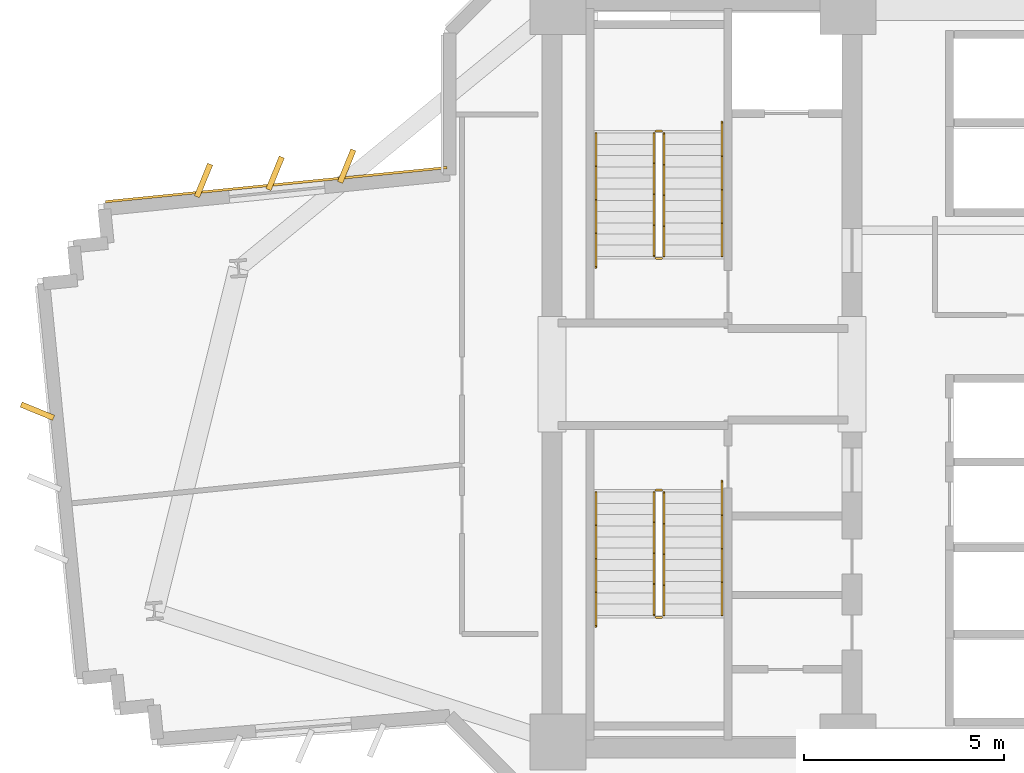
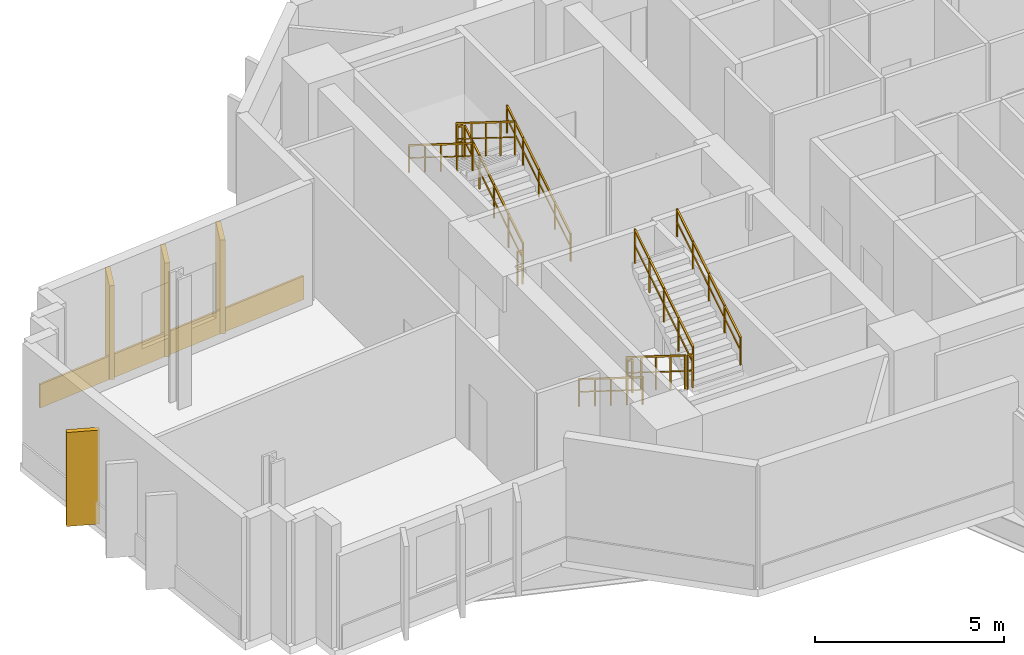
# One storey, part 12 of 14: 12 railings, 5 coverings.
"""IFC4 building model written with IfcOpenShell, lengths in metres."""

from ifc_helpers import new_model, si_unit, direction, frame, origin, origin_2d, place, context, subcontext, project, spatial, rectangle, extrude, source, transform, mapped, material, layer, layer_set, type_object, element, save


model = new_model("IFC4")

# Units and contexts
model_context = context("Model", 3, precision=1e-05, world=origin(), true_north=direction((0.0, 1.0)))
body_context = subcontext(model_context, "Body", "Model", "MODEL_VIEW")
ifc_project = project(units=[si_unit("LENGTHUNIT", "METRE"), si_unit("AREAUNIT", "SQUARE_METRE"), si_unit("VOLUMEUNIT", "CUBIC_METRE"), si_unit("PLANEANGLEUNIT", "RADIAN"), si_unit("MASSUNIT", "GRAM", prefix="KILO")], contexts=[model_context])

# Site, building, storey
site_placement = place(None, origin())
site = spatial("IfcSite", under=ifc_project, at=site_placement, CompositionType="ELEMENT")
building_placement = place(site_placement, origin())
building = spatial("IfcBuilding", under=site, at=building_placement, Name="Zahravan Cultural Tower", CompositionType="ELEMENT")
storey_placement = place(building_placement, frame((0.0, 0.0, 100.5)))
storey = spatial("IfcBuildingStorey", under=building, at=storey_placement, Name="L22", CompositionType="ELEMENT", Elevation=100.5)

# Railings
ifc_material_1 = material(Name="Steel ASTM A572 Grade 50", Category="steel")
railing_type_1 = type_object("IfcRailingType", Name="RL-STAIR-GRD1150", PredefinedType="BALUSTRADE", material=ifc_material_1)
railing_1_placement = place(storey_placement, frame((24.300048828125, 29.949951171875, 0.175048828125)))
element("IfcRailing", 1, at=railing_1_placement, inside=storey, type_object=railing_type_1, Name="L22 ST-W1 stair guard 1", PredefinedType="BALUSTRADE", context=body_context, shape_type="SweptSolid", body=[
    extrude(rectangle(XDim=0.05, YDim=0.05, at=origin_2d()), frame((0.0, 0.0, 1.0751953125), z_axis=(0.0, 0.847998304005, 0.529998940003), x_axis=(-1.0, 0.0, 0.0)), (0.0, 0.0, 1.0), 3.632080078125),
    extrude(rectangle(XDim=0.032, YDim=0.032, at=origin_2d()), frame((0.0, 0.0, 0.572021484375), z_axis=(0.0, 0.847998304005, 0.529998940003), x_axis=(-1.0, 0.0, 0.0)), (0.0, 0.0, 1.0), 3.632080078125),
    extrude(rectangle(XDim=0.04, YDim=0.04, at=origin_2d()), origin(), (0.0, 0.0, 1.0), 1.10009765625),
    extrude(rectangle(XDim=0.04, YDim=0.04, at=origin_2d()), frame((0.0, 0.77001953125, 0.481201171875)), (0.0, 0.0, 1.0), 1.10009765625),
    extrude(rectangle(XDim=0.04, YDim=0.04, at=origin_2d()), frame((0.0, 1.5400390625, 0.96240234375)), (0.0, 0.0, 1.0), 1.10009765625),
    extrude(rectangle(XDim=0.04, YDim=0.04, at=origin_2d()), frame((0.0, 2.31005859375, 1.44384765625)), (0.0, 0.0, 1.0), 1.10009765625),
    extrude(rectangle(XDim=0.04, YDim=0.04, at=origin_2d()), frame((0.0, 3.080078125, 1.925048828125)), (0.0, 0.0, 1.0), 1.10009765625),
])
railing_2_placement = place(storey_placement, frame((24.25, 33.080078125, 2.10009765625)))
element("IfcRailing", 2, at=railing_2_placement, inside=storey, type_object=railing_type_1, Name="L22 ST-W1 stair guard 2", PredefinedType="BALUSTRADE", context=body_context, shape_type="SweptSolid", body=[
    extrude(rectangle(XDim=0.05, YDim=0.05, at=origin_2d()), frame((0.0, 0.0, 1.0751953125), z_axis=(-1.0, 0.0, 0.0), x_axis=(0.0, -1.0, 0.0)), (0.0, 0.0, 1.0), 0.14990234375),
    extrude(rectangle(XDim=0.032, YDim=0.032, at=origin_2d()), frame((0.0, 0.0, 0.572021484375), z_axis=(-1.0, 0.0, 0.0), x_axis=(0.0, -1.0, 0.0)), (0.0, 0.0, 1.0), 0.14990234375),
    extrude(rectangle(XDim=0.04, YDim=0.04, at=origin_2d()), origin(), (0.0, 0.0, 1.0), 1.10009765625),
    extrude(rectangle(XDim=0.04, YDim=0.04, at=origin_2d()), frame((-0.14990234375, 0.0, 0.0)), (0.0, 0.0, 1.0), 1.10009765625),
])
railing_3_placement = place(storey_placement, frame((24.050048828125, 33.030029296875, 2.27490234375)))
element("IfcRailing", 3, at=railing_3_placement, inside=storey, type_object=railing_type_1, Name="L22 ST-W1 stair guard 3", PredefinedType="BALUSTRADE", context=body_context, shape_type="SweptSolid", body=[
    extrude(rectangle(XDim=0.05, YDim=0.05, at=origin_2d()), frame((0.0, 0.0, 1.0751953125), z_axis=(0.0, -0.847998304005, 0.529998940003), x_axis=(1.0, 0.0, 0.0)), (0.0, 0.0, 1.0), 3.632080078125),
    extrude(rectangle(XDim=0.032, YDim=0.032, at=origin_2d()), frame((0.0, 0.0, 0.572021484375), z_axis=(0.0, -0.847998304005, 0.529998940003), x_axis=(1.0, 0.0, 0.0)), (0.0, 0.0, 1.0), 3.632080078125),
    extrude(rectangle(XDim=0.04, YDim=0.04, at=origin_2d()), origin(), (0.0, 0.0, 1.0), 1.10009765625),
    extrude(rectangle(XDim=0.04, YDim=0.04, at=origin_2d()), frame((0.0, -0.77001953125, 0.481201171875)), (0.0, 0.0, 1.0), 1.10009765625),
    extrude(rectangle(XDim=0.04, YDim=0.04, at=origin_2d()), frame((0.0, -1.5400390625, 0.96240234375)), (0.0, 0.0, 1.0), 1.10009765625),
    extrude(rectangle(XDim=0.04, YDim=0.04, at=origin_2d()), frame((0.0, -2.31005859375, 1.44384765625)), (0.0, 0.0, 1.0), 1.10009765625),
    extrude(rectangle(XDim=0.04, YDim=0.04, at=origin_2d()), frame((0.0, -3.080078125, 1.925048828125)), (0.0, 0.0, 1.0), 1.10009765625),
])
railing_4_placement = place(storey_placement, frame((24.25, 29.89990234375, 0.0)))
element("IfcRailing", 4, at=railing_4_placement, inside=storey, type_object=railing_type_1, Name="L22 ST-W1 stair guard 4", PredefinedType="BALUSTRADE", context=body_context, shape_type="SweptSolid", body=[
    extrude(rectangle(XDim=0.05, YDim=0.05, at=origin_2d()), frame((0.0, 0.0, 1.0751953125), z_axis=(-1.0, 0.0, 0.0), x_axis=(0.0, -1.0, 0.0)), (0.0, 0.0, 1.0), 0.14990234375),
    extrude(rectangle(XDim=0.032, YDim=0.032, at=origin_2d()), frame((0.0, 0.0, 0.572021484375), z_axis=(-1.0, 0.0, 0.0), x_axis=(0.0, -1.0, 0.0)), (0.0, 0.0, 1.0), 0.14990234375),
    extrude(rectangle(XDim=0.04, YDim=0.04, at=origin_2d()), origin(), (0.0, 0.0, 1.0), 1.10009765625),
    extrude(rectangle(XDim=0.04, YDim=0.04, at=origin_2d()), frame((-0.14990234375, 0.0, 0.0)), (0.0, 0.0, 1.0), 1.10009765625),
])
railing_5_placement = place(storey_placement, frame((24.050048828125, 24.050048828125, 0.175048828125)))
element("IfcRailing", 5, at=railing_5_placement, inside=storey, type_object=railing_type_1, Name="L22 ST-W2 stair guard 1", PredefinedType="BALUSTRADE", context=body_context, shape_type="SweptSolid", body=[
    extrude(rectangle(XDim=0.05, YDim=0.05, at=origin_2d()), frame((0.0, 0.0, 1.0751953125), z_axis=(0.0, -0.847998304005, 0.529998940003), x_axis=(1.0, 0.0, 0.0)), (0.0, 0.0, 1.0), 3.632080078125),
    extrude(rectangle(XDim=0.032, YDim=0.032, at=origin_2d()), frame((0.0, 0.0, 0.572021484375), z_axis=(0.0, -0.847998304005, 0.529998940003), x_axis=(1.0, 0.0, 0.0)), (0.0, 0.0, 1.0), 3.632080078125),
    extrude(rectangle(XDim=0.04, YDim=0.04, at=origin_2d()), origin(), (0.0, 0.0, 1.0), 1.10009765625),
    extrude(rectangle(XDim=0.04, YDim=0.04, at=origin_2d()), frame((0.0, -0.77001953125, 0.481201171875)), (0.0, 0.0, 1.0), 1.10009765625),
    extrude(rectangle(XDim=0.04, YDim=0.04, at=origin_2d()), frame((0.0, -1.5400390625, 0.96240234375)), (0.0, 0.0, 1.0), 1.10009765625),
    extrude(rectangle(XDim=0.04, YDim=0.04, at=origin_2d()), frame((0.0, -2.31005859375, 1.44384765625)), (0.0, 0.0, 1.0), 1.10009765625),
    extrude(rectangle(XDim=0.04, YDim=0.04, at=origin_2d()), frame((0.0, -3.080078125, 1.925048828125)), (0.0, 0.0, 1.0), 1.10009765625),
])
railing_6_placement = place(storey_placement, frame((24.10009765625, 20.919921875, 2.10009765625)))
element("IfcRailing", 6, at=railing_6_placement, inside=storey, type_object=railing_type_1, Name="L22 ST-W2 stair guard 2", PredefinedType="BALUSTRADE", context=body_context, shape_type="SweptSolid", body=[
    extrude(rectangle(XDim=0.05, YDim=0.05, at=origin_2d()), frame((0.0, 0.0, 1.0751953125), z_axis=(1.0, 0.0, 0.0), x_axis=(0.0, 1.0, 0.0)), (0.0, 0.0, 1.0), 0.14990234375),
    extrude(rectangle(XDim=0.032, YDim=0.032, at=origin_2d()), frame((0.0, 0.0, 0.572021484375), z_axis=(1.0, 0.0, 0.0), x_axis=(0.0, 1.0, 0.0)), (0.0, 0.0, 1.0), 0.14990234375),
    extrude(rectangle(XDim=0.04, YDim=0.04, at=origin_2d()), origin(), (0.0, 0.0, 1.0), 1.10009765625),
    extrude(rectangle(XDim=0.04, YDim=0.04, at=origin_2d()), frame((0.14990234375, 0.0, 0.0)), (0.0, 0.0, 1.0), 1.10009765625),
])
railing_7_placement = place(storey_placement, frame((24.300048828125, 20.969970703125, 2.27490234375)))
element("IfcRailing", 7, at=railing_7_placement, inside=storey, type_object=railing_type_1, Name="L22 ST-W2 stair guard 3", PredefinedType="BALUSTRADE", context=body_context, shape_type="SweptSolid", body=[
    extrude(rectangle(XDim=0.05, YDim=0.05, at=origin_2d()), frame((0.0, 0.0, 1.0751953125), z_axis=(0.0, 0.847998304005, 0.529998940003), x_axis=(-1.0, 0.0, 0.0)), (0.0, 0.0, 1.0), 3.632080078125),
    extrude(rectangle(XDim=0.032, YDim=0.032, at=origin_2d()), frame((0.0, 0.0, 0.572021484375), z_axis=(0.0, 0.847998304005, 0.529998940003), x_axis=(-1.0, 0.0, 0.0)), (0.0, 0.0, 1.0), 3.632080078125),
    extrude(rectangle(XDim=0.04, YDim=0.04, at=origin_2d()), origin(), (0.0, 0.0, 1.0), 1.10009765625),
    extrude(rectangle(XDim=0.04, YDim=0.04, at=origin_2d()), frame((0.0, 0.77001953125, 0.481201171875)), (0.0, 0.0, 1.0), 1.10009765625),
    extrude(rectangle(XDim=0.04, YDim=0.04, at=origin_2d()), frame((0.0, 1.5400390625, 0.96240234375)), (0.0, 0.0, 1.0), 1.10009765625),
    extrude(rectangle(XDim=0.04, YDim=0.04, at=origin_2d()), frame((0.0, 2.31005859375, 1.44384765625)), (0.0, 0.0, 1.0), 1.10009765625),
    extrude(rectangle(XDim=0.04, YDim=0.04, at=origin_2d()), frame((0.0, 3.080078125, 1.925048828125)), (0.0, 0.0, 1.0), 1.10009765625),
])
railing_8_placement = place(storey_placement, frame((24.10009765625, 24.10009765625, 0.0)))
element("IfcRailing", 8, at=railing_8_placement, inside=storey, type_object=railing_type_1, Name="L22 ST-W2 stair guard 4", PredefinedType="BALUSTRADE", context=body_context, shape_type="SweptSolid", body=[
    extrude(rectangle(XDim=0.05, YDim=0.05, at=origin_2d()), frame((0.0, 0.0, 1.0751953125), z_axis=(1.0, 0.0, 0.0), x_axis=(0.0, 1.0, 0.0)), (0.0, 0.0, 1.0), 0.14990234375),
    extrude(rectangle(XDim=0.032, YDim=0.032, at=origin_2d()), frame((0.0, 0.0, 0.572021484375), z_axis=(1.0, 0.0, 0.0), x_axis=(0.0, 1.0, 0.0)), (0.0, 0.0, 1.0), 0.14990234375),
    extrude(rectangle(XDim=0.04, YDim=0.04, at=origin_2d()), origin(), (0.0, 0.0, 1.0), 1.10009765625),
    extrude(rectangle(XDim=0.04, YDim=0.04, at=origin_2d()), frame((0.14990234375, 0.0, 0.0)), (0.0, 0.0, 1.0), 1.10009765625),
])
railing_type_2 = type_object("IfcRailingType", Name="RL-STAIR-HR900", PredefinedType="HANDRAIL", material=ifc_material_1)
railing_9_placement = place(storey_placement, frame((25.75, 29.949951171875, 0.175048828125)))
element("IfcRailing", 9, at=railing_9_placement, inside=storey, type_object=railing_type_2, Name="L22 ST-W1 stair handrail 1", PredefinedType="HANDRAIL", context=body_context, shape_type="SweptSolid", body=[
    extrude(rectangle(XDim=0.05, YDim=0.05, at=origin_2d()), frame((0.0, 0.0, 0.875), z_axis=(0.0, 0.848022534174, 0.529960169762), x_axis=(-1.0, 0.0, 0.0)), (0.0, 0.0, 1.0), 3.96240234375),
    extrude(rectangle(XDim=0.032, YDim=0.032, at=origin_2d()), frame((0.0, 0.0, 0.468017578125), z_axis=(0.0, 0.848022534174, 0.529960169762), x_axis=(-1.0, 0.0, 0.0)), (0.0, 0.0, 1.0), 3.96240234375),
    extrude(rectangle(XDim=0.04, YDim=0.04, at=origin_2d()), origin(), (0.0, 0.0, 1.0), 0.89990234375),
    extrude(rectangle(XDim=0.04, YDim=0.04, at=origin_2d()), frame((0.0, 0.840087890625, 0.52490234375)), (0.0, 0.0, 1.0), 0.89990234375),
    extrude(rectangle(XDim=0.04, YDim=0.04, at=origin_2d()), frame((0.0, 1.68017578125, 1.0498046875)), (0.0, 0.0, 1.0), 0.89990234375),
    extrude(rectangle(XDim=0.04, YDim=0.04, at=origin_2d()), frame((0.0, 2.52001953125, 1.574951171875)), (0.0, 0.0, 1.0), 0.89990234375),
    extrude(rectangle(XDim=0.04, YDim=0.04, at=origin_2d()), frame((0.0, 3.360107421875, 2.099853515625)), (0.0, 0.0, 1.0), 0.89990234375),
])
railing_10_placement = place(storey_placement, frame((22.60009765625, 33.030029296875, 2.27490234375)))
element("IfcRailing", 10, at=railing_10_placement, inside=storey, type_object=railing_type_2, Name="L22 ST-W1 stair handrail 2", PredefinedType="HANDRAIL", context=body_context, shape_type="SweptSolid", body=[
    extrude(rectangle(XDim=0.05, YDim=0.05, at=origin_2d()), frame((0.0, 0.0, 0.875), z_axis=(0.0, -0.847994842521, 0.530004478338), x_axis=(1.0, 0.0, 0.0)), (0.0, 0.0, 1.0), 3.96240234375),
    extrude(rectangle(XDim=0.032, YDim=0.032, at=origin_2d()), frame((0.0, 0.0, 0.468017578125), z_axis=(0.0, -0.847994842521, 0.530004478338), x_axis=(1.0, 0.0, 0.0)), (0.0, 0.0, 1.0), 3.96240234375),
    extrude(rectangle(XDim=0.04, YDim=0.04, at=origin_2d()), origin(), (0.0, 0.0, 1.0), 0.89990234375),
    extrude(rectangle(XDim=0.04, YDim=0.04, at=origin_2d()), frame((0.0, -0.840087890625, 0.52490234375)), (0.0, 0.0, 1.0), 0.89990234375),
    extrude(rectangle(XDim=0.04, YDim=0.04, at=origin_2d()), frame((0.0, -1.68017578125, 1.050048828125)), (0.0, 0.0, 1.0), 0.89990234375),
    extrude(rectangle(XDim=0.04, YDim=0.04, at=origin_2d()), frame((0.0, -2.52001953125, 1.5751953125)), (0.0, 0.0, 1.0), 0.89990234375),
    extrude(rectangle(XDim=0.04, YDim=0.04, at=origin_2d()), frame((0.0, -3.360107421875, 2.10009765625)), (0.0, 0.0, 1.0), 0.89990234375),
])
railing_11_placement = place(storey_placement, frame((22.60009765625, 24.050048828125, 0.175048828125)))
element("IfcRailing", 11, at=railing_11_placement, inside=storey, type_object=railing_type_2, Name="L22 ST-W2 stair handrail 1", PredefinedType="HANDRAIL", context=body_context, shape_type="SweptSolid", body=[
    extrude(rectangle(XDim=0.05, YDim=0.05, at=origin_2d()), frame((0.0, 0.0, 0.875), z_axis=(0.0, -0.848022534174, 0.529960169762), x_axis=(1.0, 0.0, 0.0)), (0.0, 0.0, 1.0), 3.96240234375),
    extrude(rectangle(XDim=0.032, YDim=0.032, at=origin_2d()), frame((0.0, 0.0, 0.468017578125), z_axis=(0.0, -0.848022534174, 0.529960169762), x_axis=(1.0, 0.0, 0.0)), (0.0, 0.0, 1.0), 3.96240234375),
    extrude(rectangle(XDim=0.04, YDim=0.04, at=origin_2d()), origin(), (0.0, 0.0, 1.0), 0.89990234375),
    extrude(rectangle(XDim=0.04, YDim=0.04, at=origin_2d()), frame((0.0, -0.840087890625, 0.52490234375)), (0.0, 0.0, 1.0), 0.89990234375),
    extrude(rectangle(XDim=0.04, YDim=0.04, at=origin_2d()), frame((0.0, -1.68017578125, 1.0498046875)), (0.0, 0.0, 1.0), 0.89990234375),
    extrude(rectangle(XDim=0.04, YDim=0.04, at=origin_2d()), frame((0.0, -2.52001953125, 1.574951171875)), (0.0, 0.0, 1.0), 0.89990234375),
    extrude(rectangle(XDim=0.04, YDim=0.04, at=origin_2d()), frame((0.0, -3.360107421875, 2.099853515625)), (0.0, 0.0, 1.0), 0.89990234375),
])
railing_12_placement = place(storey_placement, frame((25.75, 20.969970703125, 2.27490234375)))
element("IfcRailing", 12, at=railing_12_placement, inside=storey, type_object=railing_type_2, Name="L22 ST-W2 stair handrail 2", PredefinedType="HANDRAIL", context=body_context, shape_type="SweptSolid", body=[
    extrude(rectangle(XDim=0.05, YDim=0.05, at=origin_2d()), frame((0.0, 0.0, 0.875), z_axis=(0.0, 0.847994842521, 0.530004478338), x_axis=(-1.0, 0.0, 0.0)), (0.0, 0.0, 1.0), 3.96240234375),
    extrude(rectangle(XDim=0.032, YDim=0.032, at=origin_2d()), frame((0.0, 0.0, 0.468017578125), z_axis=(0.0, 0.847994842521, 0.530004478338), x_axis=(-1.0, 0.0, 0.0)), (0.0, 0.0, 1.0), 3.96240234375),
    extrude(rectangle(XDim=0.04, YDim=0.04, at=origin_2d()), origin(), (0.0, 0.0, 1.0), 0.89990234375),
    extrude(rectangle(XDim=0.04, YDim=0.04, at=origin_2d()), frame((0.0, 0.840087890625, 0.52490234375)), (0.0, 0.0, 1.0), 0.89990234375),
    extrude(rectangle(XDim=0.04, YDim=0.04, at=origin_2d()), frame((0.0, 1.68017578125, 1.050048828125)), (0.0, 0.0, 1.0), 0.89990234375),
    extrude(rectangle(XDim=0.04, YDim=0.04, at=origin_2d()), frame((0.0, 2.52001953125, 1.5751953125)), (0.0, 0.0, 1.0), 0.89990234375),
    extrude(rectangle(XDim=0.04, YDim=0.04, at=origin_2d()), frame((0.0, 3.360107421875, 2.10009765625)), (0.0, 0.0, 1.0), 0.89990234375),
])

# Coverings
ifc_material_2 = material(Name="Terracotta ceramic cladding", Category="masonry")
ifc_layer = layer(ifc_material_2, 0.06005859375)
ifc_layer_set = layer_set([ifc_layer], Name="Terracotta ceramic cladding")
covering_type = type_object("IfcCoveringType", Name="COV-CLAD-TC60", PredefinedType="CLADDING", material=ifc_layer_set)
shared_shape_1 = source(origin(), body_context, "Body", "SweptSolid", [
    extrude(rectangle(XDim=0.8798828125, YDim=0.139892578125, at=origin_2d()), origin(), (0.0, 0.0, 1.0), 3.030029296875),
])
for number, where, z_axis, x_axis, name in (
    (13, (8.62646484375, 26.07666015625, 0.0498046875), (0.0, 0.0, 1.0), (-0.925209718386, 0.379456159529, 0.0), "L22 Herringbone Terracotta Fin 06"),
    (14, (12.78369140625, 31.84814453125, 0.0498046875), (0.0, 0.0, 1.0), (0.379456159529, 0.925209718386, 0.0), "L22 Herringbone Terracotta Fin 07"),
    (15, (14.57470703125, 32.02685546875, 0.0498046875), (0.0, 0.0, 1.0), (0.379456159529, 0.925209718386, 0.0), "L22 Herringbone Terracotta Fin 08"),
    (16, (16.365966796875, 32.205810546875, 0.0498046875), (0.0, 0.0, 1.0), (0.379456159529, 0.925209718386, 0.0), "L22 Herringbone Terracotta Fin 09"),
):
    element("IfcCovering", number, at=place(storey_placement, frame(where, z_axis=z_axis, x_axis=x_axis)), inside=storey, type_object=covering_type, Name=name, PredefinedType="CLADDING", context=body_context, shape_type="MappedRepresentation", body=[
        mapped(shared_shape_1, transform((0.0, 0.0, 0.0), x_axis=(1.0, 0.0, 0.0), y_axis=(0.0, 1.0, 0.0), z_axis=(0.0, 0.0, 1.0), scale=1.0)),
    ])
shared_shape_2 = source(origin(), body_context, "Body", "SweptSolid", [
    extrude(rectangle(XDim=8.580078125, YDim=0.06005859375, at=origin_2d()), origin(), (0.0, 0.0, 1.0), 0.760009765625),
])
covering_placement = place(storey_placement, frame((14.60302734375, 31.743408203125, 0.02001953125), z_axis=(0.0, 0.0, 1.0), x_axis=(0.995055569961, 0.099319749744, 0.0)))
element("IfcCovering", 17, at=covering_placement, inside=storey, type_object=covering_type, Name="L22 Terracotta Spandrel Cladding 11", PredefinedType="CLADDING", context=body_context, shape_type="MappedRepresentation", body=[
    mapped(shared_shape_2, transform((0.0, 0.0, 0.0), x_axis=(1.0, 0.0, 0.0), y_axis=(0.0, 1.0, 0.0), z_axis=(0.0, 0.0, 1.0), scale=1.0)),
])

save(model, "model.ifc")
